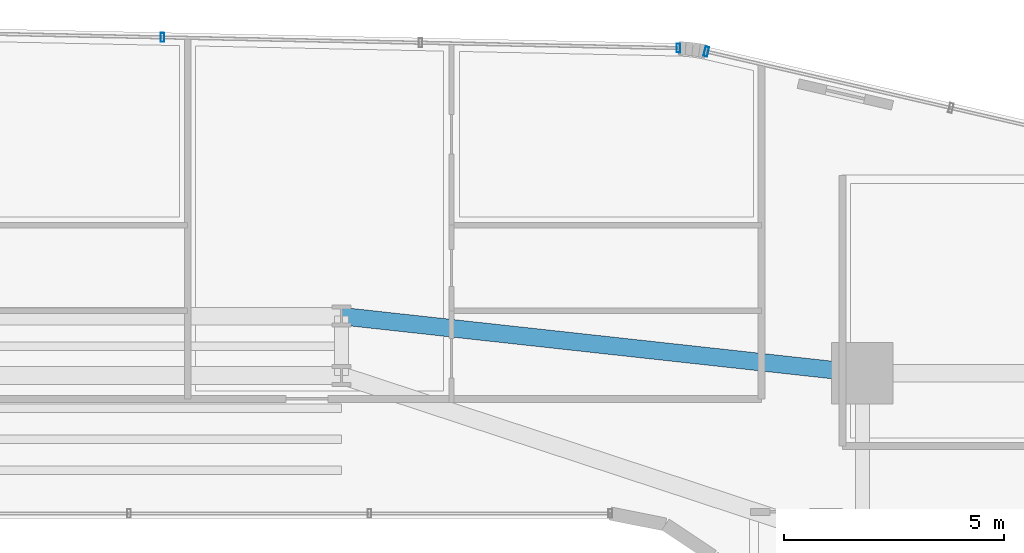
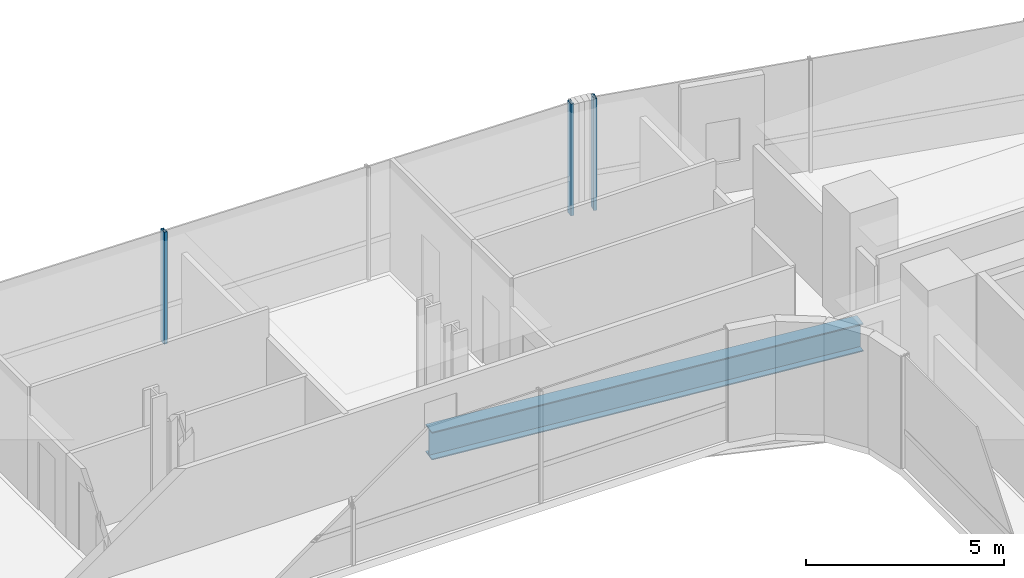
# One storey, part 23 of 41: 3 members, 1 beam, 2 elements without a shape of their own.
"""IFC4 building model written with IfcOpenShell, lengths in metres."""

from ifc_helpers import new_model, si_unit, direction, frame, origin, origin_2d, place, context, subcontext, project, spatial, hollow_rectangle, i_section, extrude, source, transform, mapped, material, material_profile, profile_set, type_object, element, aggregate, save


model = new_model("IFC4")

# Units and contexts
model_context = context("Model", 3, precision=1e-05, world=origin(), true_north=direction((0.0, 1.0)))
body_context = subcontext(model_context, "Body", "Model", "MODEL_VIEW")
ifc_project = project(units=[si_unit("LENGTHUNIT", "METRE"), si_unit("AREAUNIT", "SQUARE_METRE"), si_unit("VOLUMEUNIT", "CUBIC_METRE"), si_unit("PLANEANGLEUNIT", "RADIAN"), si_unit("MASSUNIT", "GRAM", prefix="KILO")], contexts=[model_context])

# Site, building, storey
site_placement = place(None, origin())
site = spatial("IfcSite", under=ifc_project, at=site_placement, CompositionType="ELEMENT")
building_placement = place(site_placement, origin())
building = spatial("IfcBuilding", under=site, at=building_placement, Name="Valdorenza Pilgrim Sanctuary Tower", CompositionType="ELEMENT")
storey_placement = place(building_placement, frame((0.0, 0.0, 88.89990234375)))
storey = spatial("IfcBuildingStorey", under=building, at=storey_placement, Name="L22", CompositionType="ELEMENT", Elevation=88.89990234375)

# Beam
ifc_material_1 = material(Name="Steel ASTM A992 Grade 50", Category="steel")
ifc_material_profile_1 = material_profile(ifc_material_1, i_section(OverallWidth=0.39990234375, OverallDepth=0.862060546875, WebThickness=0.019775390625, FlangeThickness=0.032470703125, at=origin_2d()), Name="W33X221")
ifc_profile_set_1 = profile_set([ifc_material_profile_1], Name="Steel ASTM A992 Grade 50")
beam_type = type_object("IfcBeamType", Name="STR-BM-GRD-W33", PredefinedType="BEAM", material=ifc_profile_set_1)
shared_shape_1 = source(origin(), body_context, "Body", "SweptSolid", [
    extrude(i_section(OverallWidth=0.39990234375, OverallDepth=0.862060546875, WebThickness=0.019775390625, FlangeThickness=0.032470703125, at=origin_2d()), origin(), (0.0, 0.0, 1.0), 11.921142578125),
])
beam_placement = place(storey_placement, frame((4.0, 14.800048828125, -0.6708984375), z_axis=(0.994035876607, -0.10905354656, 0.0), x_axis=(0.10905354656, 0.994035876607, 0.0)))
element("IfcBeam", 1, at=beam_placement, inside=storey, type_object=beam_type, Name="L22 Floor Girder KNK-G6", PredefinedType="BEAM", context=body_context, shape_type="MappedRepresentation", body=[
    mapped(shared_shape_1, transform((0.0, 0.0, 0.0), x_axis=(1.0, 0.0, 0.0), y_axis=(0.0, 1.0, 0.0), z_axis=(0.0, 0.0, 1.0), scale=1.0)),
])

# Curtain wall, members
ifc_material_2 = material(Name="Curtain-wall IGU glazing", Category="glass")
curtain_wall_type_1 = type_object("IfcCurtainWallType", Name="CW-SYS-02", PredefinedType="NOTDEFINED", material=ifc_material_2)
curtain_wall_1_placement = place(storey_placement, origin())
curtain_wall_1 = element("IfcCurtainWall", 2, at=curtain_wall_1_placement, inside=storey, type_object=curtain_wall_type_1, Name="L22 Curtain Wall CW-L22-1-11", PredefinedType="NOTDEFINED")
ifc_material_3 = material(Name="Anodised aluminium AW-6060", Category="aluminium")
ifc_material_profile_2 = material_profile(ifc_material_3, hollow_rectangle(XDim=0.0849609375, YDim=0.199951171875, WallThickness=0.0048828125, at=origin_2d()), Name="ALU-M 200x85x5")
ifc_profile_set_2 = profile_set([ifc_material_profile_2], Name="Anodised aluminium AW-6060")
member_type_1 = type_object("IfcMemberType", Name="CW-MUL-02", PredefinedType="MULLION", material=ifc_profile_set_2)
shared_shape_2 = source(origin(), body_context, "Body", "SweptSolid", [
    extrude(hollow_rectangle(XDim=0.0849609375, YDim=0.199951171875, WallThickness=0.0048828125, at=origin_2d()), origin(), (0.0, 0.0, 1.0), 3.460205078125),
])
member_1_placement = place(storey_placement, frame((-0.0712890625, 21.1416015625, 0.0), z_axis=(0.0, 0.0, 1.0), x_axis=(0.999783234613, -0.020820273474, 0.0)))
member_1 = element("IfcMember", 3, at=member_1_placement, type_object=member_type_1, Name="CW-L22-1-11 Mullion 3", PredefinedType="MULLION", context=body_context, shape_type="MappedRepresentation", body=[
    mapped(shared_shape_2, transform((0.0, 0.0, 0.0), x_axis=(1.0, 0.0, 0.0), y_axis=(0.0, 1.0, 0.0), z_axis=(0.0, 0.0, 1.0), scale=1.0)),
])
member_2_placement = place(storey_placement, frame((11.665771484375, 20.89697265625, 0.0), z_axis=(0.0, 0.0, 1.0), x_axis=(0.999783234613, -0.020820273474, 0.0)))
member_2 = element("IfcMember", 4, at=member_2_placement, type_object=member_type_1, Name="CW-L22-1-11 Mullion 5", PredefinedType="MULLION", context=body_context, shape_type="MappedRepresentation", body=[
    mapped(shared_shape_2, transform((0.0, 0.0, 0.0), x_axis=(1.0, 0.0, 0.0), y_axis=(0.0, 1.0, 0.0), z_axis=(0.0, 0.0, 1.0), scale=1.0)),
])
aggregate(curtain_wall_1, [member_1, member_2])

# Curtain wall, member
curtain_wall_type_2 = type_object("IfcCurtainWallType", Name="CW-SYS-03", PredefinedType="NOTDEFINED", material=ifc_material_2)
curtain_wall_2_placement = place(storey_placement, origin())
curtain_wall_2 = element("IfcCurtainWall", 5, at=curtain_wall_2_placement, inside=storey, type_object=curtain_wall_type_2, Name="L22 Curtain Wall CW-L22-1-16", PredefinedType="NOTDEFINED")
ifc_material_profile_3 = material_profile(ifc_material_3, hollow_rectangle(XDim=0.0849609375, YDim=0.219970703125, WallThickness=0.0048828125, at=origin_2d()), Name="ALU-M 220x85x5")
ifc_profile_set_3 = profile_set([ifc_material_profile_3], Name="Anodised aluminium AW-6060")
member_type_2 = type_object("IfcMemberType", Name="CW-MUL-03", PredefinedType="MULLION", material=ifc_profile_set_3)
shared_shape_3 = source(origin(), body_context, "Body", "SweptSolid", [
    extrude(hollow_rectangle(XDim=0.0849609375, YDim=0.219970703125, WallThickness=0.0048828125, at=origin_2d()), origin(), (0.0, 0.0, 1.0), 3.460205078125),
])
member_3_placement = place(storey_placement, frame((12.299072265625, 20.818115234375, 0.0), z_axis=(0.0, 0.0, 1.0), x_axis=(0.974389691758, -0.224866023659, 0.0)))
member_3 = element("IfcMember", 6, at=member_3_placement, type_object=member_type_2, Name="CW-L22-1-16 Mullion 1", PredefinedType="MULLION", context=body_context, shape_type="MappedRepresentation", body=[
    mapped(shared_shape_3, transform((0.0, 0.0, 0.0), x_axis=(1.0, 0.0, 0.0), y_axis=(0.0, 1.0, 0.0), z_axis=(0.0, 0.0, 1.0), scale=1.0)),
])
aggregate(curtain_wall_2, [member_3])

save(model, "model.ifc")
